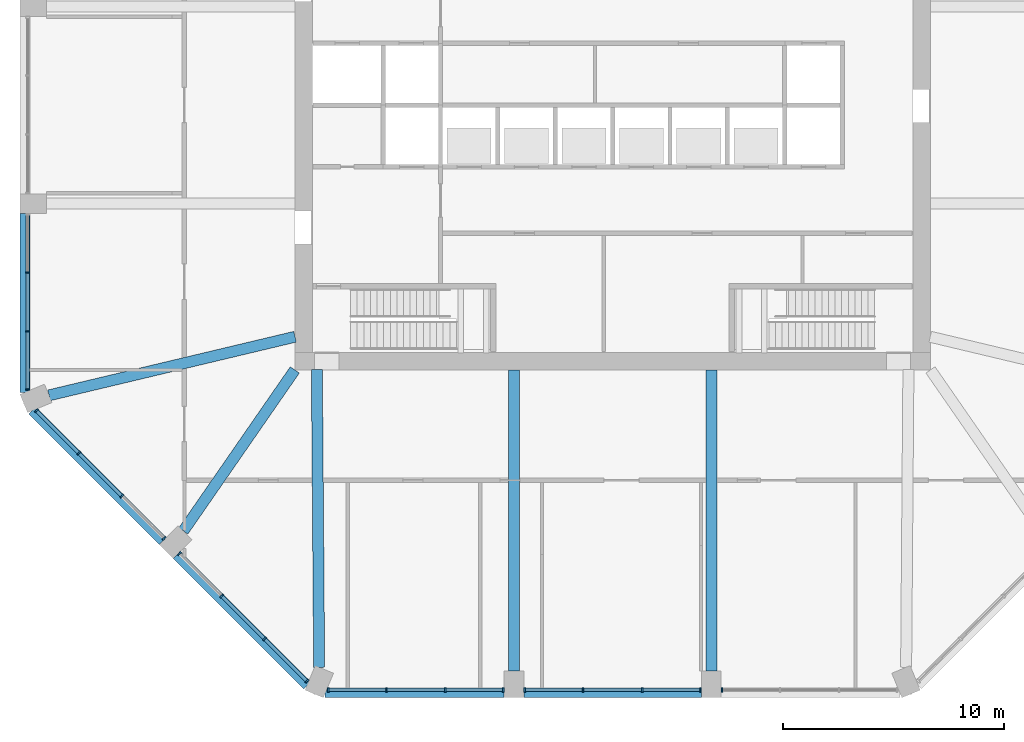
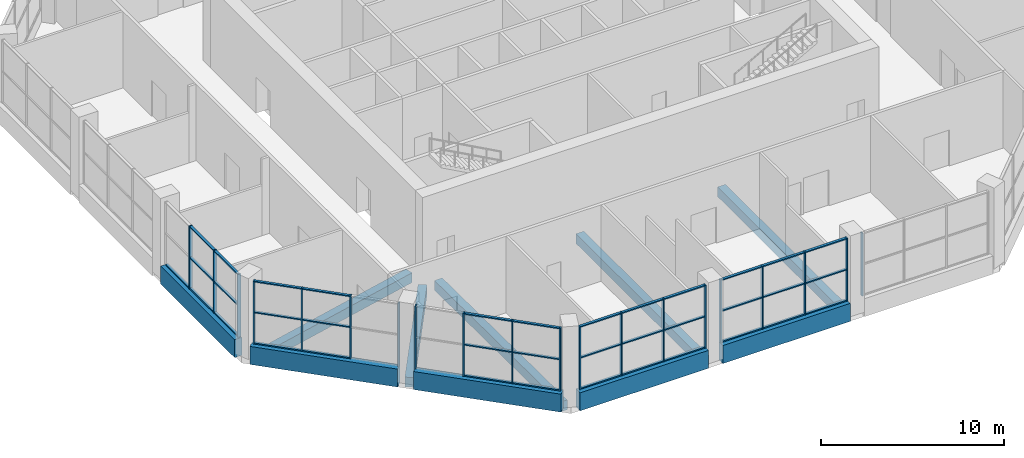
# One storey, part 2 of 16: 57 members, 10 beams, 6 elements without a shape of their own.
"""IFC4 building model written with IfcOpenShell, lengths in metres."""

import ifcopenshell
import ifcopenshell.guid

model = None  # the IFC model being written
_history = None  # IfcOwnerHistory: only IFC2X3 demands one
_inside = {}  # id of a spatial element -> (the spatial element, [elements in it])
_under = {}  # id of a project, library or spatial element -> (it, [spatial elements below it])
_declared = {}  # id of a project -> (the project, [libraries it declares])
_typed = {}  # id of a type object -> (the type object, [elements of that type])
_made_of = {}  # id of a material, layer set ... -> (it, [elements and type objects made of it])


def new_model(schema):
    """Start an empty IFC model of exactly this schema.

    Asked for "IFC4X3", IfcOpenShell would pick the latest addendum, in which some entities
    have other attributes; the version numbers below select the first issue.
    IFC2X3 requires an IfcOwnerHistory on every rooted entity: one is made here for all.
    """
    global model, _history
    if schema == "IFC4X3":
        model = ifcopenshell.file(schema_version=(4, 3, 0, 0))
    else:
        model = ifcopenshell.file(schema=schema)
    _inside.clear()
    _under.clear()
    _declared.clear()
    _typed.clear()
    _made_of.clear()
    _history = None
    if model.schema == "IFC2X3":
        org = make("IfcOrganization", Name="unknown")
        user = make(
            "IfcPersonAndOrganization",
            ThePerson=make("IfcPerson", FamilyName="unknown"),
            TheOrganization=org,
        )
        app = make(
            "IfcApplication",
            ApplicationDeveloper=org,
            Version="unknown",
            ApplicationFullName="unknown",
            ApplicationIdentifier="unknown",
        )
        _history = make(
            "IfcOwnerHistory",
            OwningUser=user,
            OwningApplication=app,
            ChangeAction="ADDED",
            CreationDate=0,
        )
    return model


def make(cls, **values):
    """One entity of the class cls with the attributes given. An attribute that is None is left unset."""
    return model.create_entity(
        cls, **{name: value for name, value in values.items() if value is not None}
    )


def rooted(cls, **values):
    """An entity with a GlobalId (a new one), such as an element, a storey or a relation."""
    return make(cls, GlobalId=ifcopenshell.guid.new(), OwnerHistory=_history, **values)


def si_unit(unit_type, name, prefix=None):
    """IfcSIUnit, for example si_unit("LENGTHUNIT", "METRE", prefix="MILLI")."""
    return make("IfcSIUnit", UnitType=unit_type, Prefix=prefix, Name=name)


def assignment(units):
    """IfcUnitAssignment: the units of a project."""
    return None if units is None else make("IfcUnitAssignment", Units=units)


def point(xyz):
    """IfcCartesianPoint."""
    return None if xyz is None else make("IfcCartesianPoint", Coordinates=xyz)


def direction(xyz):
    """IfcDirection."""
    return None if xyz is None else make("IfcDirection", DirectionRatios=xyz)


def frame(location, z_axis=None, x_axis=None):
    """IfcAxis2Placement3D, a coordinate frame: its origin and axes. An axis left out is left unset."""
    return make(
        "IfcAxis2Placement3D",
        Location=point(location),
        Axis=direction(z_axis),
        RefDirection=direction(x_axis),
    )


def frame_2d(location, x_axis=None):
    """IfcAxis2Placement2D, a coordinate frame in the plane: its origin and x axis."""
    return make(
        "IfcAxis2Placement2D", Location=point(location), RefDirection=direction(x_axis)
    )


def origin():
    """The frame at (0, 0, 0) with its axes left unset."""
    return frame((0.0, 0.0, 0.0))


def origin_2d():
    """The frame at (0, 0) in the plane with its x axis left unset."""
    return frame_2d((0.0, 0.0))


def place(relative_to, where):
    """IfcLocalPlacement: puts the frame where relative to a parent placement (None: the world)."""
    return make(
        "IfcLocalPlacement", PlacementRelTo=relative_to, RelativePlacement=where
    )


def context(
    kind, dimensions, precision=None, world=None, true_north=None, identifier=None
):
    """IfcGeometricRepresentationContext, for example the 3D "Model" context."""
    return make(
        "IfcGeometricRepresentationContext",
        ContextIdentifier=identifier,
        ContextType=kind,
        CoordinateSpaceDimension=dimensions,
        Precision=precision,
        WorldCoordinateSystem=world,
        TrueNorth=true_north,
    )


def subcontext(parent, identifier, kind, view, scale=None):
    """IfcGeometricRepresentationSubContext, for example "Body" below "Model"."""
    return make(
        "IfcGeometricRepresentationSubContext",
        ContextIdentifier=identifier,
        ContextType=kind,
        ParentContext=parent,
        TargetScale=scale,
        TargetView=view,
    )


def project(units=None, contexts=None):
    """IfcProject with its units and contexts."""
    return rooted(
        "IfcProject",
        Name="project",
        RepresentationContexts=contexts,
        UnitsInContext=assignment(units),
    )


def spatial(cls, under=None, at=None, **own):
    """A site, building, storey or space (cls), placed at a placement, below another one or the project."""
    s = rooted(cls, ObjectPlacement=at, **own)
    if under is not None:
        _under.setdefault(under.id(), (under, []))[1].append(s)
    return s


def profile(cls, at=None, kind="AREA", **sizes):
    """A parametric profile (cls). Its sizes go by their IFC names, for example OverallWidth=200.0."""
    return make(cls, ProfileType=kind, Position=at, **sizes)


def rectangle(**sizes):
    """IfcRectangleProfileDef."""
    return profile("IfcRectangleProfileDef", **sizes)


def extrude(swept, where, along, depth):
    """IfcExtrudedAreaSolid: the profile swept, set in the frame where, extruded along a direction by depth."""
    return make(
        "IfcExtrudedAreaSolid",
        SweptArea=swept,
        Position=where,
        ExtrudedDirection=direction(along),
        Depth=depth,
    )


def shape(context_of_items, identifier, shape_type, items):
    """IfcShapeRepresentation: the items that make up one representation, for example the "Body"."""
    return make(
        "IfcShapeRepresentation",
        ContextOfItems=context_of_items,
        RepresentationIdentifier=identifier,
        RepresentationType=shape_type,
        Items=items,
    )


def material(Name=None, Category=None):
    """IfcMaterial."""
    return make("IfcMaterial", Name=Name, Category=Category)


def material_profile(
    of_material, cross_section, Name=None, Category=None, Priority=None
):
    """IfcMaterialProfile: a cross section and its material."""
    return make(
        "IfcMaterialProfile",
        Name=Name,
        Material=of_material,
        Profile=cross_section,
        Priority=Priority,
        Category=Category,
    )


def profile_set(profiles, Name=None, composite=None):
    """IfcMaterialProfileSet."""
    return make(
        "IfcMaterialProfileSet",
        Name=Name,
        MaterialProfiles=profiles,
        CompositeProfile=composite,
    )


def made_of(thing, what):
    """Note that an element or type object is made of a material, layer set ...; save() writes the relation."""
    if what is not None:
        _made_of.setdefault(what.id(), (what, []))[1].append(thing)
    return thing


def type_object(cls, material=None, **own):
    """A type object (cls), such as IfcWallType, which elements share."""
    return made_of(rooted(cls, **own), material)


def element(
    cls,
    number,
    at=None,
    inside=None,
    cuts=None,
    type_object=None,
    material=None,
    context=None,
    identifier="Body",
    shape_type=None,
    held_by="IfcProductDefinitionShape",
    body=None,
    shapes=None,
    **own,
):
    """One element of the class cls, such as IfcWall. Its Tag is "e" and its number.

    at: its placement. inside: the storey or other place that contains it. cuts: it is an
    opening in that element (IfcRelVoidsElement). A single representation is given by context,
    identifier, shape_type and body (its items); several are given by shapes. held_by: the class
    of the entity that holds the representations. save() writes the other relations.
    """
    e = rooted(cls, Tag="e%d" % number, ObjectPlacement=at, **own)
    if body is not None:
        shapes = [shape(context, identifier, shape_type, body)]
    if shapes is not None:
        e.Representation = make(held_by, Representations=shapes)
    if inside is not None:
        _inside.setdefault(inside.id(), (inside, []))[1].append(e)
    if cuts is not None:
        rooted(
            "IfcRelVoidsElement", RelatingBuildingElement=cuts, RelatedOpeningElement=e
        )
    if type_object is not None:
        _typed.setdefault(type_object.id(), (type_object, []))[1].append(e)
    return made_of(e, material)


def aggregate(whole, parts):
    """IfcRelAggregates: a whole, such as a stair, and the parts it consists of."""
    return rooted("IfcRelAggregates", RelatingObject=whole, RelatedObjects=parts)


def save(model, path):
    """Write the relations noted so far, then the file.

    IfcRelAggregates (storeys below a building ...), IfcRelContainedInSpatialStructure (elements
    in a storey), IfcRelDefinesByType, IfcRelAssociatesMaterial and IfcRelDeclares: one each for
    every whole, place, type object, material and project.
    """
    for whole, parts in _under.values():
        aggregate(whole, parts)
    for where, things in _inside.values():
        rooted(
            "IfcRelContainedInSpatialStructure",
            RelatedElements=things,
            RelatingStructure=where,
        )
    for kind, things in _typed.values():
        rooted("IfcRelDefinesByType", RelatedObjects=things, RelatingType=kind)
    for what, things in _made_of.values():
        rooted("IfcRelAssociatesMaterial", RelatedObjects=things, RelatingMaterial=what)
    for by, libraries in _declared.values():
        rooted("IfcRelDeclares", RelatingContext=by, RelatedDefinitions=libraries)
    model.write(path)


model = new_model("IFC4")

# Units and contexts
model_context = context("Model", 3, precision=1e-05, world=origin(), true_north=direction((0.0, 1.0)))
body_context = subcontext(model_context, "Body", "Model", "MODEL_VIEW")
ifc_project = project(units=[si_unit("LENGTHUNIT", "METRE"), si_unit("AREAUNIT", "SQUARE_METRE"), si_unit("VOLUMEUNIT", "CUBIC_METRE"), si_unit("PLANEANGLEUNIT", "RADIAN"), si_unit("MASSUNIT", "GRAM", prefix="KILO")], contexts=[model_context])

# Site, building, storey
site_placement = place(None, origin())
site = spatial("IfcSite", under=ifc_project, at=site_placement, CompositionType="ELEMENT")
building_placement = place(site_placement, origin())
building = spatial("IfcBuilding", under=site, at=building_placement, Name="Msitu Wima Residences", CompositionType="ELEMENT")
storey_placement = place(building_placement, frame((0.0, 0.0, 156.89990234375)))
storey = spatial("IfcBuildingStorey", under=building, at=storey_placement, Name="L36", CompositionType="ELEMENT", Elevation=156.89990234375)

# Beams
ifc_material_1 = material(Name="Concrete C50/60", Category="concrete")
ifc_material_profile_1 = material_profile(ifc_material_1, rectangle(XDim=0.5, YDim=0.64990234375, at=origin_2d()), Name="RC 500x650")
ifc_profile_set_1 = profile_set([ifc_material_profile_1], Name="Concrete C50/60")
beam_type_1 = type_object("IfcBeamType", Name="Beam RC 500x650 Concrete C50/60", PredefinedType="BEAM", material=ifc_profile_set_1)
beam_1_placement = place(storey_placement, frame((-25.5322265625, -13.150634765625, -0.724853515625), z_axis=(0.972805528659, 0.231623408598, 0.0), x_axis=(-0.231623408598, 0.972805528659, 0.0)))
element("IfcBeam", 1, at=beam_1_placement, inside=storey, type_object=beam_type_1, Name="Beam L36 C-SW0", PredefinedType="BEAM", context=body_context, shape_type="SweptSolid", body=[
    extrude(rectangle(XDim=0.5, YDim=0.64990234375, at=origin_2d()), origin(), (0.0, 0.0, 1.0), 11.455322265625),
])
beam_2_placement = place(storey_placement, frame((-19.44970703125, -19.29541015625, -0.724853515625), z_axis=(0.569144158363, 0.822237755763, 0.0), x_axis=(-0.822237755763, 0.569144158363, 0.0)))
element("IfcBeam", 2, at=beam_2_placement, inside=storey, type_object=beam_type_1, Name="Beam L36 C-SW1", PredefinedType="BEAM", context=body_context, shape_type="SweptSolid", body=[
    extrude(rectangle(XDim=0.5, YDim=0.64990234375, at=origin_2d()), origin(), (0.0, 0.0, 1.0), 8.87255859375),
])
beam_3_placement = place(storey_placement, frame((-13.29638671875, -25.471923828125, -0.724853515625), z_axis=(-0.007694865426, 0.999970394085, 0.0), x_axis=(-0.999970394085, -0.007694865426, 0.0)))
element("IfcBeam", 3, at=beam_3_placement, inside=storey, type_object=beam_type_1, Name="Beam L36 C-S0", PredefinedType="BEAM", context=body_context, shape_type="SweptSolid", body=[
    extrude(rectangle(XDim=0.5, YDim=0.64990234375, at=origin_2d()), origin(), (0.0, 0.0, 1.0), 13.484375),
])
for number, where, z_axis, x_axis, name in (
    (4, (-4.46875, -25.64990234375, -0.724853515625), (0.0, 1.0, 0.0), (-1.0, 0.0, 0.0), "Beam L36 C-S1"),
    (5, (4.46875, -25.64990234375, -0.724853515625), (0.0, 1.0, 0.0), (-1.0, 0.0, 0.0), "Beam L36 C-S2"),
):
    element("IfcBeam", number, at=place(storey_placement, frame(where, z_axis=z_axis, x_axis=x_axis)), inside=storey, type_object=beam_type_1, Name=name, PredefinedType="BEAM", context=body_context, shape_type="SweptSolid", body=[
        extrude(rectangle(XDim=0.5, YDim=0.64990234375, at=origin_2d()), origin(), (0.0, 0.0, 1.0), 13.64990234375),
    ])

# Curtain wall, members
ifc_material_2 = material(Name="Anodised aluminium, bronze finish, solar control laminated double glazing", Category="aluminium")
curtain_wall_type = type_object("IfcCurtainWallType", Name="Curtain wall CW2 sky amenity wall", PredefinedType="NOTDEFINED", material=ifc_material_2)
curtain_wall_1_placement = place(storey_placement, origin())
curtain_wall_1 = element("IfcCurtainWall", 6, at=curtain_wall_1_placement, inside=storey, type_object=curtain_wall_type, Name="Curtain wall CW2 L36 W2", PredefinedType="NOTDEFINED")
ifc_material_3 = material(Name="Anodised aluminium, bronze finish", Category="aluminium")
ifc_material_profile_2 = material_profile(ifc_material_3, rectangle(XDim=0.199951171875, YDim=0.074951171875, at=origin_2d()), Name="Mullion 75x200")
ifc_profile_set_2 = profile_set([ifc_material_profile_2], Name="Anodised aluminium, bronze finish")
member_type_1 = type_object("IfcMemberType", Name="Mullion CW2 75x200", PredefinedType="MULLION", material=ifc_profile_set_2)
member_1_placement = place(storey_placement, frame((-26.5, -7.58544921875, 0.900146484375), z_axis=(0.0, 0.0, 1.0), x_axis=(1.0, 0.0, 0.0)))
member_1 = element("IfcMember", 7, at=member_1_placement, type_object=member_type_1, Name="CW2 mullion 2", PredefinedType="MULLION", context=body_context, shape_type="SweptSolid", body=[
    extrude(rectangle(XDim=0.199951171875, YDim=0.074951171875, at=origin_2d()), origin(), (0.0, 0.0, 1.0), 4.199951171875),
])
member_2_placement = place(storey_placement, frame((-26.5, -10.252197265625, 0.900146484375), z_axis=(0.0, 0.0, 1.0), x_axis=(1.0, 0.0, 0.0)))
member_2 = element("IfcMember", 8, at=member_2_placement, type_object=member_type_1, Name="CW2 mullion 3", PredefinedType="MULLION", context=body_context, shape_type="SweptSolid", body=[
    extrude(rectangle(XDim=0.199951171875, YDim=0.074951171875, at=origin_2d()), origin(), (0.0, 0.0, 1.0), 4.199951171875),
])
member_3_placement = place(storey_placement, frame((-26.5, -12.88134765625, 0.900146484375), z_axis=(0.0, 0.0, 1.0), x_axis=(1.0, 0.0, 0.0)))
member_3 = element("IfcMember", 9, at=member_3_placement, type_object=member_type_1, Name="CW2 mullion 4", PredefinedType="MULLION", context=body_context, shape_type="SweptSolid", body=[
    extrude(rectangle(XDim=0.199951171875, YDim=0.074951171875, at=origin_2d()), origin(), (0.0, 0.0, 1.0), 4.199951171875),
])

curtain_wall_2_placement = place(storey_placement, origin())
curtain_wall_2 = element("IfcCurtainWall", 10, at=curtain_wall_2_placement, inside=storey, type_object=curtain_wall_type, Name="Curtain wall CW2 L36 SW0", PredefinedType="NOTDEFINED")
member_4_placement = place(storey_placement, frame((-26.099853515625, -13.847412109375, 0.900146484375), z_axis=(0.0, 0.0, 1.0), x_axis=(0.707106841783, 0.707106720591, 0.0)))
member_4 = element("IfcMember", 11, at=member_4_placement, type_object=member_type_1, Name="CW2 mullion 1", PredefinedType="MULLION", context=body_context, shape_type="SweptSolid", body=[
    extrude(rectangle(XDim=0.199951171875, YDim=0.074951171875, at=origin_2d()), origin(), (0.0, 0.0, 1.0), 4.199951171875),
])
member_5_placement = place(storey_placement, frame((-24.181396484375, -15.765869140625, 0.900146484375), z_axis=(0.0, 0.0, 1.0), x_axis=(0.707106841783, 0.707106720591, 0.0)))
member_5 = element("IfcMember", 12, at=member_5_placement, type_object=member_type_1, Name="CW2 mullion 2", PredefinedType="MULLION", context=body_context, shape_type="SweptSolid", body=[
    extrude(rectangle(XDim=0.199951171875, YDim=0.074951171875, at=origin_2d()), origin(), (0.0, 0.0, 1.0), 4.199951171875),
])
member_6_placement = place(storey_placement, frame((-22.236572265625, -17.710693359375, 0.900146484375), z_axis=(0.0, 0.0, 1.0), x_axis=(0.707106841783, 0.707106720591, 0.0)))
member_6 = element("IfcMember", 13, at=member_6_placement, type_object=member_type_1, Name="CW2 mullion 3", PredefinedType="MULLION", context=body_context, shape_type="SweptSolid", body=[
    extrude(rectangle(XDim=0.199951171875, YDim=0.074951171875, at=origin_2d()), origin(), (0.0, 0.0, 1.0), 4.199951171875),
])
member_7_placement = place(storey_placement, frame((-20.318359375, -19.62890625, 0.900146484375), z_axis=(0.0, 0.0, 1.0), x_axis=(0.707106841783, 0.707106720591, 0.0)))
member_7 = element("IfcMember", 14, at=member_7_placement, type_object=member_type_1, Name="CW2 mullion 4", PredefinedType="MULLION", context=body_context, shape_type="SweptSolid", body=[
    extrude(rectangle(XDim=0.199951171875, YDim=0.074951171875, at=origin_2d()), origin(), (0.0, 0.0, 1.0), 4.199951171875),
])

curtain_wall_3_placement = place(storey_placement, origin())
curtain_wall_3 = element("IfcCurtainWall", 15, at=curtain_wall_3_placement, inside=storey, type_object=curtain_wall_type, Name="Curtain wall CW2 L36 SW1", PredefinedType="NOTDEFINED")
member_8_placement = place(storey_placement, frame((-19.62890625, -20.318359375, 0.900146484375), z_axis=(0.0, 0.0, 1.0), x_axis=(0.707106781187, 0.707106781187, 0.0)))
member_8 = element("IfcMember", 16, at=member_8_placement, type_object=member_type_1, Name="CW2 mullion 1", PredefinedType="MULLION", context=body_context, shape_type="SweptSolid", body=[
    extrude(rectangle(XDim=0.199951171875, YDim=0.074951171875, at=origin_2d()), origin(), (0.0, 0.0, 1.0), 4.199951171875),
])
member_9_placement = place(storey_placement, frame((-17.710693359375, -22.236572265625, 0.900146484375), z_axis=(0.0, 0.0, 1.0), x_axis=(0.707106781187, 0.707106781187, 0.0)))
member_9 = element("IfcMember", 17, at=member_9_placement, type_object=member_type_1, Name="CW2 mullion 2", PredefinedType="MULLION", context=body_context, shape_type="SweptSolid", body=[
    extrude(rectangle(XDim=0.199951171875, YDim=0.074951171875, at=origin_2d()), origin(), (0.0, 0.0, 1.0), 4.199951171875),
])
member_10_placement = place(storey_placement, frame((-15.765869140625, -24.181396484375, 0.900146484375), z_axis=(0.0, 0.0, 1.0), x_axis=(0.707106781187, 0.707106781187, 0.0)))
member_10 = element("IfcMember", 18, at=member_10_placement, type_object=member_type_1, Name="CW2 mullion 3", PredefinedType="MULLION", context=body_context, shape_type="SweptSolid", body=[
    extrude(rectangle(XDim=0.199951171875, YDim=0.074951171875, at=origin_2d()), origin(), (0.0, 0.0, 1.0), 4.199951171875),
])
member_11_placement = place(storey_placement, frame((-13.847412109375, -26.099853515625, 0.900146484375), z_axis=(0.0, 0.0, 1.0), x_axis=(0.707106781187, 0.707106781187, 0.0)))
member_11 = element("IfcMember", 19, at=member_11_placement, type_object=member_type_1, Name="CW2 mullion 4", PredefinedType="MULLION", context=body_context, shape_type="SweptSolid", body=[
    extrude(rectangle(XDim=0.199951171875, YDim=0.074951171875, at=origin_2d()), origin(), (0.0, 0.0, 1.0), 4.199951171875),
])

curtain_wall_4_placement = place(storey_placement, origin())
curtain_wall_4 = element("IfcCurtainWall", 20, at=curtain_wall_4_placement, inside=storey, type_object=curtain_wall_type, Name="Curtain wall CW2 L36 S0", PredefinedType="NOTDEFINED")
member_12_placement = place(storey_placement, frame((-12.88134765625, -26.5, 0.900146484375), z_axis=(0.0, 0.0, 1.0), x_axis=(0.0, 1.0, 0.0)))
member_12 = element("IfcMember", 21, at=member_12_placement, type_object=member_type_1, Name="CW2 mullion 1", PredefinedType="MULLION", context=body_context, shape_type="SweptSolid", body=[
    extrude(rectangle(XDim=0.199951171875, YDim=0.074951171875, at=origin_2d()), origin(), (0.0, 0.0, 1.0), 4.199951171875),
])
member_13_placement = place(storey_placement, frame((-10.252197265625, -26.5, 0.900146484375), z_axis=(0.0, 0.0, 1.0), x_axis=(0.0, 1.0, 0.0)))
member_13 = element("IfcMember", 22, at=member_13_placement, type_object=member_type_1, Name="CW2 mullion 2", PredefinedType="MULLION", context=body_context, shape_type="SweptSolid", body=[
    extrude(rectangle(XDim=0.199951171875, YDim=0.074951171875, at=origin_2d()), origin(), (0.0, 0.0, 1.0), 4.199951171875),
])
member_14_placement = place(storey_placement, frame((-7.58544921875, -26.5, 0.900146484375), z_axis=(0.0, 0.0, 1.0), x_axis=(0.0, 1.0, 0.0)))
member_14 = element("IfcMember", 23, at=member_14_placement, type_object=member_type_1, Name="CW2 mullion 3", PredefinedType="MULLION", context=body_context, shape_type="SweptSolid", body=[
    extrude(rectangle(XDim=0.199951171875, YDim=0.074951171875, at=origin_2d()), origin(), (0.0, 0.0, 1.0), 4.199951171875),
])
member_15_placement = place(storey_placement, frame((-4.9560546875, -26.5, 0.900146484375), z_axis=(0.0, 0.0, 1.0), x_axis=(0.0, 1.0, 0.0)))
member_15 = element("IfcMember", 24, at=member_15_placement, type_object=member_type_1, Name="CW2 mullion 4", PredefinedType="MULLION", context=body_context, shape_type="SweptSolid", body=[
    extrude(rectangle(XDim=0.199951171875, YDim=0.074951171875, at=origin_2d()), origin(), (0.0, 0.0, 1.0), 4.199951171875),
])

curtain_wall_5_placement = place(storey_placement, origin())
curtain_wall_5 = element("IfcCurtainWall", 25, at=curtain_wall_5_placement, inside=storey, type_object=curtain_wall_type, Name="Curtain wall CW2 L36 S1", PredefinedType="NOTDEFINED")
member_16_placement = place(storey_placement, frame((-3.981201171875, -26.5, 0.900146484375), z_axis=(0.0, 0.0, 1.0), x_axis=(0.0, 1.0, 0.0)))
member_16 = element("IfcMember", 26, at=member_16_placement, type_object=member_type_1, Name="CW2 mullion 1", PredefinedType="MULLION", context=body_context, shape_type="SweptSolid", body=[
    extrude(rectangle(XDim=0.199951171875, YDim=0.074951171875, at=origin_2d()), origin(), (0.0, 0.0, 1.0), 4.199951171875),
])
member_17_placement = place(storey_placement, frame((-1.339599609375, -26.5, 0.900146484375), z_axis=(0.0, 0.0, 1.0), x_axis=(0.0, 1.0, 0.0)))
member_17 = element("IfcMember", 27, at=member_17_placement, type_object=member_type_1, Name="CW2 mullion 2", PredefinedType="MULLION", context=body_context, shape_type="SweptSolid", body=[
    extrude(rectangle(XDim=0.199951171875, YDim=0.074951171875, at=origin_2d()), origin(), (0.0, 0.0, 1.0), 4.199951171875),
])
member_18_placement = place(storey_placement, frame((1.339599609375, -26.5, 0.900146484375), z_axis=(0.0, 0.0, 1.0), x_axis=(0.0, 1.0, 0.0)))
member_18 = element("IfcMember", 28, at=member_18_placement, type_object=member_type_1, Name="CW2 mullion 3", PredefinedType="MULLION", context=body_context, shape_type="SweptSolid", body=[
    extrude(rectangle(XDim=0.199951171875, YDim=0.074951171875, at=origin_2d()), origin(), (0.0, 0.0, 1.0), 4.199951171875),
])
member_19_placement = place(storey_placement, frame((3.981201171875, -26.5, 0.900146484375), z_axis=(0.0, 0.0, 1.0), x_axis=(0.0, 1.0, 0.0)))
member_19 = element("IfcMember", 29, at=member_19_placement, type_object=member_type_1, Name="CW2 mullion 4", PredefinedType="MULLION", context=body_context, shape_type="SweptSolid", body=[
    extrude(rectangle(XDim=0.199951171875, YDim=0.074951171875, at=origin_2d()), origin(), (0.0, 0.0, 1.0), 4.199951171875),
])

# Curtain wall, member
curtain_wall_6_placement = place(storey_placement, origin())
curtain_wall_6 = element("IfcCurtainWall", 30, at=curtain_wall_6_placement, inside=storey, type_object=curtain_wall_type, Name="Curtain wall CW2 L36 S2", PredefinedType="NOTDEFINED")
member_20_placement = place(storey_placement, frame((4.9560546875, -26.5, 0.900146484375), z_axis=(0.0, 0.0, 1.0), x_axis=(0.0, 1.0, 0.0)))
member_20 = element("IfcMember", 31, at=member_20_placement, type_object=member_type_1, Name="CW2 mullion 1", PredefinedType="MULLION", context=body_context, shape_type="SweptSolid", body=[
    extrude(rectangle(XDim=0.199951171875, YDim=0.074951171875, at=origin_2d()), origin(), (0.0, 0.0, 1.0), 4.199951171875),
])
aggregate(curtain_wall_6, [member_20])

# Beams
ifc_material_profile_3 = material_profile(ifc_material_1, rectangle(XDim=0.449951171875, YDim=1.199951171875, at=origin_2d()), Name="RC 450x1200")
ifc_profile_set_3 = profile_set([ifc_material_profile_3], Name="Concrete C50/60")
beam_type_2 = type_object("IfcBeamType", Name="Spandrel RC 450x1200 Concrete C50/60", PredefinedType="SPANDREL", material=ifc_profile_set_3)
beam_4_placement = place(storey_placement, frame((-26.625, -4.918701171875, 0.300048828125), z_axis=(0.0, -1.0, 0.0), x_axis=(1.0, 0.0, 0.0)))
element("IfcBeam", 32, at=beam_4_placement, inside=storey, type_object=beam_type_2, Name="Spandrel L36 W2", PredefinedType="SPANDREL", context=body_context, shape_type="SweptSolid", body=[
    extrude(rectangle(XDim=0.449951171875, YDim=1.199951171875, at=origin_2d()), origin(), (0.0, 0.0, 1.0), 8.105224609375),
])
for number, where, z_axis, x_axis, name in (
    (33, (-26.2890625, -13.8349609375, 0.300048828125), (0.707106781187, -0.707106781187, 0.0), (0.707106781187, 0.707106781187, 0.0), "Spandrel L36 SW0"),
    (34, (-19.743896484375, -20.380126953125, 0.300048828125), (0.707106781187, -0.707106781187, 0.0), (0.707106781187, 0.707106781187, 0.0), "Spandrel L36 SW1"),
):
    element("IfcBeam", number, at=place(storey_placement, frame(where, z_axis=z_axis, x_axis=x_axis)), inside=storey, type_object=beam_type_2, Name=name, PredefinedType="SPANDREL", context=body_context, shape_type="SweptSolid", body=[
        extrude(rectangle(XDim=0.449951171875, YDim=1.199951171875, at=origin_2d()), origin(), (0.0, 0.0, 1.0), 8.3564453125),
    ])
beam_5_placement = place(storey_placement, frame((-13.02392578125, -26.625, 0.300048828125), z_axis=(1.0, 0.0, 0.0), x_axis=(0.0, 1.0, 0.0)))
element("IfcBeam", 35, at=beam_5_placement, inside=storey, type_object=beam_type_2, Name="Spandrel L36 S0", PredefinedType="SPANDREL", context=body_context, shape_type="SweptSolid", body=[
    extrude(rectangle(XDim=0.449951171875, YDim=1.199951171875, at=origin_2d()), origin(), (0.0, 0.0, 1.0), 8.105224609375),
])
beam_6_placement = place(storey_placement, frame((-4.0185546875, -26.625, 0.300048828125), z_axis=(1.0, 0.0, 0.0), x_axis=(0.0, 1.0, 0.0)))
element("IfcBeam", 36, at=beam_6_placement, inside=storey, type_object=beam_type_2, Name="Spandrel L36 S1", PredefinedType="SPANDREL", context=body_context, shape_type="SweptSolid", body=[
    extrude(rectangle(XDim=0.449951171875, YDim=1.199951171875, at=origin_2d()), origin(), (0.0, 0.0, 1.0), 8.037109375),
])

# Member
ifc_material_profile_4 = material_profile(ifc_material_3, rectangle(XDim=0.159912109375, YDim=0.074951171875, at=origin_2d()), Name="Transom 75x160")
ifc_profile_set_4 = profile_set([ifc_material_profile_4], Name="Anodised aluminium, bronze finish")
member_type_2 = type_object("IfcMemberType", Name="Transom CW2 75x160", PredefinedType="USERDEFINED", material=ifc_profile_set_4)
member_21_placement = place(storey_placement, frame((-26.5, -4.99365234375, 0.9375), z_axis=(0.0, -1.0, 0.0), x_axis=(1.0, 0.0, 0.0)))
member_21 = element("IfcMember", 37, at=member_21_placement, type_object=member_type_2, Name="CW2 transom 1.1", ObjectType="TRANSOM", PredefinedType="USERDEFINED", context=body_context, shape_type="SweptSolid", body=[
    extrude(rectangle(XDim=0.159912109375, YDim=0.074951171875, at=origin_2d()), origin(), (0.0, 0.0, 1.0), 2.55419921875),
])

member_22_placement = place(storey_placement, frame((-26.5, -7.622802734375, 0.9375), z_axis=(0.0, -1.0, 0.0), x_axis=(1.0, 0.0, 0.0)))
member_22 = element("IfcMember", 38, at=member_22_placement, type_object=member_type_2, Name="CW2 transom 2.1", ObjectType="TRANSOM", PredefinedType="USERDEFINED", context=body_context, shape_type="SweptSolid", body=[
    extrude(rectangle(XDim=0.159912109375, YDim=0.074951171875, at=origin_2d()), origin(), (0.0, 0.0, 1.0), 2.591796875),
])

member_23_placement = place(storey_placement, frame((-26.5, -7.622802734375, 3.0), z_axis=(0.0, -1.0, 0.0), x_axis=(1.0, 0.0, 0.0)))
member_23 = element("IfcMember", 39, at=member_23_placement, type_object=member_type_2, Name="CW2 transom 2.2", ObjectType="TRANSOM", PredefinedType="USERDEFINED", context=body_context, shape_type="SweptSolid", body=[
    extrude(rectangle(XDim=0.159912109375, YDim=0.074951171875, at=origin_2d()), origin(), (0.0, 0.0, 1.0), 2.591796875),
])

member_24_placement = place(storey_placement, frame((-26.5, -7.622802734375, 5.0625), z_axis=(0.0, -1.0, 0.0), x_axis=(1.0, 0.0, 0.0)))
member_24 = element("IfcMember", 40, at=member_24_placement, type_object=member_type_2, Name="CW2 transom 2.3", ObjectType="TRANSOM", PredefinedType="USERDEFINED", context=body_context, shape_type="SweptSolid", body=[
    extrude(rectangle(XDim=0.159912109375, YDim=0.074951171875, at=origin_2d()), origin(), (0.0, 0.0, 1.0), 2.591796875),
])

member_25_placement = place(storey_placement, frame((-26.5, -10.28955078125, 0.9375), z_axis=(0.0, -1.0, 0.0), x_axis=(1.0, 0.0, 0.0)))
member_25 = element("IfcMember", 41, at=member_25_placement, type_object=member_type_2, Name="CW2 transom 3.1", ObjectType="TRANSOM", PredefinedType="USERDEFINED", context=body_context, shape_type="SweptSolid", body=[
    extrude(rectangle(XDim=0.159912109375, YDim=0.074951171875, at=origin_2d()), origin(), (0.0, 0.0, 1.0), 2.55419921875),
])

member_26_placement = place(storey_placement, frame((-26.5, -10.28955078125, 3.0), z_axis=(0.0, -1.0, 0.0), x_axis=(1.0, 0.0, 0.0)))
member_26 = element("IfcMember", 42, at=member_26_placement, type_object=member_type_2, Name="CW2 transom 3.2", ObjectType="TRANSOM", PredefinedType="USERDEFINED", context=body_context, shape_type="SweptSolid", body=[
    extrude(rectangle(XDim=0.159912109375, YDim=0.074951171875, at=origin_2d()), origin(), (0.0, 0.0, 1.0), 2.55419921875),
])

member_27_placement = place(storey_placement, frame((-26.5, -10.28955078125, 5.0625), z_axis=(0.0, -1.0, 0.0), x_axis=(1.0, 0.0, 0.0)))
member_27 = element("IfcMember", 43, at=member_27_placement, type_object=member_type_2, Name="CW2 transom 3.3", ObjectType="TRANSOM", PredefinedType="USERDEFINED", context=body_context, shape_type="SweptSolid", body=[
    extrude(rectangle(XDim=0.159912109375, YDim=0.074951171875, at=origin_2d()), origin(), (0.0, 0.0, 1.0), 2.55419921875),
])

aggregate(curtain_wall_1, [member_1, member_2, member_3, member_21, member_22, member_23, member_24, member_25, member_26, member_27])

member_28_placement = place(storey_placement, frame((-26.0732421875, -13.8740234375, 0.9375), z_axis=(0.707106781187, -0.707106781187, 0.0), x_axis=(0.707106781187, 0.707106781187, 0.0)))
member_28 = element("IfcMember", 44, at=member_28_placement, type_object=member_type_2, Name="CW2 transom 1.1", ObjectType="TRANSOM", PredefinedType="USERDEFINED", context=body_context, shape_type="SweptSolid", body=[
    extrude(rectangle(XDim=0.159912109375, YDim=0.074951171875, at=origin_2d()), origin(), (0.0, 0.0, 1.0), 2.637939453125),
])

member_29_placement = place(storey_placement, frame((-26.0732421875, -13.8740234375, 3.0), z_axis=(0.707106781187, -0.707106781187, 0.0), x_axis=(0.707106781187, 0.707106781187, 0.0)))
member_29 = element("IfcMember", 45, at=member_29_placement, type_object=member_type_2, Name="CW2 transom 1.2", ObjectType="TRANSOM", PredefinedType="USERDEFINED", context=body_context, shape_type="SweptSolid", body=[
    extrude(rectangle(XDim=0.159912109375, YDim=0.074951171875, at=origin_2d()), origin(), (0.0, 0.0, 1.0), 2.637939453125),
])

member_30_placement = place(storey_placement, frame((-26.0732421875, -13.8740234375, 5.0625), z_axis=(0.707106781187, -0.707106781187, 0.0), x_axis=(0.707106781187, 0.707106781187, 0.0)))
member_30 = element("IfcMember", 46, at=member_30_placement, type_object=member_type_2, Name="CW2 transom 1.3", ObjectType="TRANSOM", PredefinedType="USERDEFINED", context=body_context, shape_type="SweptSolid", body=[
    extrude(rectangle(XDim=0.159912109375, YDim=0.074951171875, at=origin_2d()), origin(), (0.0, 0.0, 1.0), 2.637939453125),
])

member_31_placement = place(storey_placement, frame((-24.155029296875, -15.792236328125, 0.9375), z_axis=(0.707106781187, -0.707106781187, 0.0), x_axis=(0.707106781187, 0.707106781187, 0.0)))
member_31 = element("IfcMember", 47, at=member_31_placement, type_object=member_type_2, Name="CW2 transom 2.1", ObjectType="TRANSOM", PredefinedType="USERDEFINED", context=body_context, shape_type="SweptSolid", body=[
    extrude(rectangle(XDim=0.159912109375, YDim=0.074951171875, at=origin_2d()), origin(), (0.0, 0.0, 1.0), 2.675537109375),
])

member_32_placement = place(storey_placement, frame((-24.155029296875, -15.792236328125, 3.0), z_axis=(0.707106781187, -0.707106781187, 0.0), x_axis=(0.707106781187, 0.707106781187, 0.0)))
member_32 = element("IfcMember", 48, at=member_32_placement, type_object=member_type_2, Name="CW2 transom 2.2", ObjectType="TRANSOM", PredefinedType="USERDEFINED", context=body_context, shape_type="SweptSolid", body=[
    extrude(rectangle(XDim=0.159912109375, YDim=0.074951171875, at=origin_2d()), origin(), (0.0, 0.0, 1.0), 2.675537109375),
])

member_33_placement = place(storey_placement, frame((-24.155029296875, -15.792236328125, 5.0625), z_axis=(0.707106781187, -0.707106781187, 0.0), x_axis=(0.707106781187, 0.707106781187, 0.0)))
member_33 = element("IfcMember", 49, at=member_33_placement, type_object=member_type_2, Name="CW2 transom 2.3", ObjectType="TRANSOM", PredefinedType="USERDEFINED", context=body_context, shape_type="SweptSolid", body=[
    extrude(rectangle(XDim=0.159912109375, YDim=0.074951171875, at=origin_2d()), origin(), (0.0, 0.0, 1.0), 2.675537109375),
])

aggregate(curtain_wall_2, [member_4, member_5, member_6, member_7, member_28, member_29, member_30, member_31, member_32, member_33])

member_34_placement = place(storey_placement, frame((-17.68408203125, -22.26318359375, 0.9375), z_axis=(0.707106781187, -0.707106781187, 0.0), x_axis=(0.707106781187, 0.707106781187, 0.0)))
member_34 = element("IfcMember", 50, at=member_34_placement, type_object=member_type_2, Name="CW2 transom 2.1", ObjectType="TRANSOM", PredefinedType="USERDEFINED", context=body_context, shape_type="SweptSolid", body=[
    extrude(rectangle(XDim=0.159912109375, YDim=0.074951171875, at=origin_2d()), origin(), (0.0, 0.0, 1.0), 2.675537109375),
])

member_35_placement = place(storey_placement, frame((-17.68408203125, -22.26318359375, 3.0), z_axis=(0.707106781187, -0.707106781187, 0.0), x_axis=(0.707106781187, 0.707106781187, 0.0)))
member_35 = element("IfcMember", 51, at=member_35_placement, type_object=member_type_2, Name="CW2 transom 2.2", ObjectType="TRANSOM", PredefinedType="USERDEFINED", context=body_context, shape_type="SweptSolid", body=[
    extrude(rectangle(XDim=0.159912109375, YDim=0.074951171875, at=origin_2d()), origin(), (0.0, 0.0, 1.0), 2.675537109375),
])

member_36_placement = place(storey_placement, frame((-17.68408203125, -22.26318359375, 5.0625), z_axis=(0.707106781187, -0.707106781187, 0.0), x_axis=(0.707106781187, 0.707106781187, 0.0)))
member_36 = element("IfcMember", 52, at=member_36_placement, type_object=member_type_2, Name="CW2 transom 2.3", ObjectType="TRANSOM", PredefinedType="USERDEFINED", context=body_context, shape_type="SweptSolid", body=[
    extrude(rectangle(XDim=0.159912109375, YDim=0.074951171875, at=origin_2d()), origin(), (0.0, 0.0, 1.0), 2.675537109375),
])

member_37_placement = place(storey_placement, frame((-15.7392578125, -24.2080078125, 0.9375), z_axis=(0.707106781187, -0.707106781187, 0.0), x_axis=(0.707106781187, 0.707106781187, 0.0)))
member_37 = element("IfcMember", 53, at=member_37_placement, type_object=member_type_2, Name="CW2 transom 3.1", ObjectType="TRANSOM", PredefinedType="USERDEFINED", context=body_context, shape_type="SweptSolid", body=[
    extrude(rectangle(XDim=0.159912109375, YDim=0.074951171875, at=origin_2d()), origin(), (0.0, 0.0, 1.0), 2.637939453125),
])

member_38_placement = place(storey_placement, frame((-15.7392578125, -24.2080078125, 3.0), z_axis=(0.707106781187, -0.707106781187, 0.0), x_axis=(0.707106781187, 0.707106781187, 0.0)))
member_38 = element("IfcMember", 54, at=member_38_placement, type_object=member_type_2, Name="CW2 transom 3.2", ObjectType="TRANSOM", PredefinedType="USERDEFINED", context=body_context, shape_type="SweptSolid", body=[
    extrude(rectangle(XDim=0.159912109375, YDim=0.074951171875, at=origin_2d()), origin(), (0.0, 0.0, 1.0), 2.637939453125),
])

member_39_placement = place(storey_placement, frame((-15.7392578125, -24.2080078125, 5.0625), z_axis=(0.707106781187, -0.707106781187, 0.0), x_axis=(0.707106781187, 0.707106781187, 0.0)))
member_39 = element("IfcMember", 55, at=member_39_placement, type_object=member_type_2, Name="CW2 transom 3.3", ObjectType="TRANSOM", PredefinedType="USERDEFINED", context=body_context, shape_type="SweptSolid", body=[
    extrude(rectangle(XDim=0.159912109375, YDim=0.074951171875, at=origin_2d()), origin(), (0.0, 0.0, 1.0), 2.637939453125),
])

aggregate(curtain_wall_3, [member_8, member_9, member_10, member_11, member_34, member_35, member_36, member_37, member_38, member_39])

member_40_placement = place(storey_placement, frame((-12.84375, -26.5, 0.9375), z_axis=(1.0, 0.0, 0.0), x_axis=(0.0, 1.0, 0.0)))
member_40 = element("IfcMember", 56, at=member_40_placement, type_object=member_type_2, Name="CW2 transom 1.1", ObjectType="TRANSOM", PredefinedType="USERDEFINED", context=body_context, shape_type="SweptSolid", body=[
    extrude(rectangle(XDim=0.159912109375, YDim=0.074951171875, at=origin_2d()), origin(), (0.0, 0.0, 1.0), 2.55419921875),
])

member_41_placement = place(storey_placement, frame((-12.84375, -26.5, 3.0), z_axis=(1.0, 0.0, 0.0), x_axis=(0.0, 1.0, 0.0)))
member_41 = element("IfcMember", 57, at=member_41_placement, type_object=member_type_2, Name="CW2 transom 1.2", ObjectType="TRANSOM", PredefinedType="USERDEFINED", context=body_context, shape_type="SweptSolid", body=[
    extrude(rectangle(XDim=0.159912109375, YDim=0.074951171875, at=origin_2d()), origin(), (0.0, 0.0, 1.0), 2.55419921875),
])

member_42_placement = place(storey_placement, frame((-12.84375, -26.5, 5.0625), z_axis=(1.0, 0.0, 0.0), x_axis=(0.0, 1.0, 0.0)))
member_42 = element("IfcMember", 58, at=member_42_placement, type_object=member_type_2, Name="CW2 transom 1.3", ObjectType="TRANSOM", PredefinedType="USERDEFINED", context=body_context, shape_type="SweptSolid", body=[
    extrude(rectangle(XDim=0.159912109375, YDim=0.074951171875, at=origin_2d()), origin(), (0.0, 0.0, 1.0), 2.55419921875),
])

member_43_placement = place(storey_placement, frame((-10.214599609375, -26.5, 0.9375), z_axis=(1.0, 0.0, 0.0), x_axis=(0.0, 1.0, 0.0)))
member_43 = element("IfcMember", 59, at=member_43_placement, type_object=member_type_2, Name="CW2 transom 2.1", ObjectType="TRANSOM", PredefinedType="USERDEFINED", context=body_context, shape_type="SweptSolid", body=[
    extrude(rectangle(XDim=0.159912109375, YDim=0.074951171875, at=origin_2d()), origin(), (0.0, 0.0, 1.0), 2.591796875),
])

member_44_placement = place(storey_placement, frame((-10.214599609375, -26.5, 3.0), z_axis=(1.0, 0.0, 0.0), x_axis=(0.0, 1.0, 0.0)))
member_44 = element("IfcMember", 60, at=member_44_placement, type_object=member_type_2, Name="CW2 transom 2.2", ObjectType="TRANSOM", PredefinedType="USERDEFINED", context=body_context, shape_type="SweptSolid", body=[
    extrude(rectangle(XDim=0.159912109375, YDim=0.074951171875, at=origin_2d()), origin(), (0.0, 0.0, 1.0), 2.591796875),
])

member_45_placement = place(storey_placement, frame((-10.214599609375, -26.5, 5.0625), z_axis=(1.0, 0.0, 0.0), x_axis=(0.0, 1.0, 0.0)))
member_45 = element("IfcMember", 61, at=member_45_placement, type_object=member_type_2, Name="CW2 transom 2.3", ObjectType="TRANSOM", PredefinedType="USERDEFINED", context=body_context, shape_type="SweptSolid", body=[
    extrude(rectangle(XDim=0.159912109375, YDim=0.074951171875, at=origin_2d()), origin(), (0.0, 0.0, 1.0), 2.591796875),
])

member_46_placement = place(storey_placement, frame((-7.5478515625, -26.5, 0.9375), z_axis=(1.0, 0.0, 0.0), x_axis=(0.0, 1.0, 0.0)))
member_46 = element("IfcMember", 62, at=member_46_placement, type_object=member_type_2, Name="CW2 transom 3.1", ObjectType="TRANSOM", PredefinedType="USERDEFINED", context=body_context, shape_type="SweptSolid", body=[
    extrude(rectangle(XDim=0.159912109375, YDim=0.074951171875, at=origin_2d()), origin(), (0.0, 0.0, 1.0), 2.55419921875),
])

member_47_placement = place(storey_placement, frame((-7.5478515625, -26.5, 3.0), z_axis=(1.0, 0.0, 0.0), x_axis=(0.0, 1.0, 0.0)))
member_47 = element("IfcMember", 63, at=member_47_placement, type_object=member_type_2, Name="CW2 transom 3.2", ObjectType="TRANSOM", PredefinedType="USERDEFINED", context=body_context, shape_type="SweptSolid", body=[
    extrude(rectangle(XDim=0.159912109375, YDim=0.074951171875, at=origin_2d()), origin(), (0.0, 0.0, 1.0), 2.55419921875),
])

member_48_placement = place(storey_placement, frame((-7.5478515625, -26.5, 5.0625), z_axis=(1.0, 0.0, 0.0), x_axis=(0.0, 1.0, 0.0)))
member_48 = element("IfcMember", 64, at=member_48_placement, type_object=member_type_2, Name="CW2 transom 3.3", ObjectType="TRANSOM", PredefinedType="USERDEFINED", context=body_context, shape_type="SweptSolid", body=[
    extrude(rectangle(XDim=0.159912109375, YDim=0.074951171875, at=origin_2d()), origin(), (0.0, 0.0, 1.0), 2.55419921875),
])

aggregate(curtain_wall_4, [member_12, member_13, member_14, member_15, member_40, member_41, member_42, member_43, member_44, member_45, member_46, member_47, member_48])

member_49_placement = place(storey_placement, frame((-3.943603515625, -26.5, 0.9375), z_axis=(1.0, 0.0, 0.0), x_axis=(0.0, 1.0, 0.0)))
member_49 = element("IfcMember", 65, at=member_49_placement, type_object=member_type_2, Name="CW2 transom 1.1", ObjectType="TRANSOM", PredefinedType="USERDEFINED", context=body_context, shape_type="SweptSolid", body=[
    extrude(rectangle(XDim=0.159912109375, YDim=0.074951171875, at=origin_2d()), origin(), (0.0, 0.0, 1.0), 2.566650390625),
])

member_50_placement = place(storey_placement, frame((-3.943603515625, -26.5, 3.0), z_axis=(1.0, 0.0, 0.0), x_axis=(0.0, 1.0, 0.0)))
member_50 = element("IfcMember", 66, at=member_50_placement, type_object=member_type_2, Name="CW2 transom 1.2", ObjectType="TRANSOM", PredefinedType="USERDEFINED", context=body_context, shape_type="SweptSolid", body=[
    extrude(rectangle(XDim=0.159912109375, YDim=0.074951171875, at=origin_2d()), origin(), (0.0, 0.0, 1.0), 2.566650390625),
])

member_51_placement = place(storey_placement, frame((-3.943603515625, -26.5, 5.0625), z_axis=(1.0, 0.0, 0.0), x_axis=(0.0, 1.0, 0.0)))
member_51 = element("IfcMember", 67, at=member_51_placement, type_object=member_type_2, Name="CW2 transom 1.3", ObjectType="TRANSOM", PredefinedType="USERDEFINED", context=body_context, shape_type="SweptSolid", body=[
    extrude(rectangle(XDim=0.159912109375, YDim=0.074951171875, at=origin_2d()), origin(), (0.0, 0.0, 1.0), 2.566650390625),
])

member_52_placement = place(storey_placement, frame((-1.302001953125, -26.5, 0.9375), z_axis=(1.0, 0.0, 0.0), x_axis=(0.0, 1.0, 0.0)))
member_52 = element("IfcMember", 68, at=member_52_placement, type_object=member_type_2, Name="CW2 transom 2.1", ObjectType="TRANSOM", PredefinedType="USERDEFINED", context=body_context, shape_type="SweptSolid", body=[
    extrude(rectangle(XDim=0.159912109375, YDim=0.074951171875, at=origin_2d()), origin(), (0.0, 0.0, 1.0), 2.60400390625),
])

member_53_placement = place(storey_placement, frame((-1.302001953125, -26.5, 3.0), z_axis=(1.0, 0.0, 0.0), x_axis=(0.0, 1.0, 0.0)))
member_53 = element("IfcMember", 69, at=member_53_placement, type_object=member_type_2, Name="CW2 transom 2.2", ObjectType="TRANSOM", PredefinedType="USERDEFINED", context=body_context, shape_type="SweptSolid", body=[
    extrude(rectangle(XDim=0.159912109375, YDim=0.074951171875, at=origin_2d()), origin(), (0.0, 0.0, 1.0), 2.60400390625),
])

member_54_placement = place(storey_placement, frame((-1.302001953125, -26.5, 5.0625), z_axis=(1.0, 0.0, 0.0), x_axis=(0.0, 1.0, 0.0)))
member_54 = element("IfcMember", 70, at=member_54_placement, type_object=member_type_2, Name="CW2 transom 2.3", ObjectType="TRANSOM", PredefinedType="USERDEFINED", context=body_context, shape_type="SweptSolid", body=[
    extrude(rectangle(XDim=0.159912109375, YDim=0.074951171875, at=origin_2d()), origin(), (0.0, 0.0, 1.0), 2.60400390625),
])

member_55_placement = place(storey_placement, frame((1.376953125, -26.5, 0.9375), z_axis=(1.0, 0.0, 0.0), x_axis=(0.0, 1.0, 0.0)))
member_55 = element("IfcMember", 71, at=member_55_placement, type_object=member_type_2, Name="CW2 transom 3.1", ObjectType="TRANSOM", PredefinedType="USERDEFINED", context=body_context, shape_type="SweptSolid", body=[
    extrude(rectangle(XDim=0.159912109375, YDim=0.074951171875, at=origin_2d()), origin(), (0.0, 0.0, 1.0), 2.566650390625),
])

member_56_placement = place(storey_placement, frame((1.376953125, -26.5, 3.0), z_axis=(1.0, 0.0, 0.0), x_axis=(0.0, 1.0, 0.0)))
member_56 = element("IfcMember", 72, at=member_56_placement, type_object=member_type_2, Name="CW2 transom 3.2", ObjectType="TRANSOM", PredefinedType="USERDEFINED", context=body_context, shape_type="SweptSolid", body=[
    extrude(rectangle(XDim=0.159912109375, YDim=0.074951171875, at=origin_2d()), origin(), (0.0, 0.0, 1.0), 2.566650390625),
])

member_57_placement = place(storey_placement, frame((1.376953125, -26.5, 5.0625), z_axis=(1.0, 0.0, 0.0), x_axis=(0.0, 1.0, 0.0)))
member_57 = element("IfcMember", 73, at=member_57_placement, type_object=member_type_2, Name="CW2 transom 3.3", ObjectType="TRANSOM", PredefinedType="USERDEFINED", context=body_context, shape_type="SweptSolid", body=[
    extrude(rectangle(XDim=0.159912109375, YDim=0.074951171875, at=origin_2d()), origin(), (0.0, 0.0, 1.0), 2.566650390625),
])

aggregate(curtain_wall_5, [member_16, member_17, member_18, member_19, member_49, member_50, member_51, member_52, member_53, member_54, member_55, member_56, member_57])

save(model, "model.ifc")
